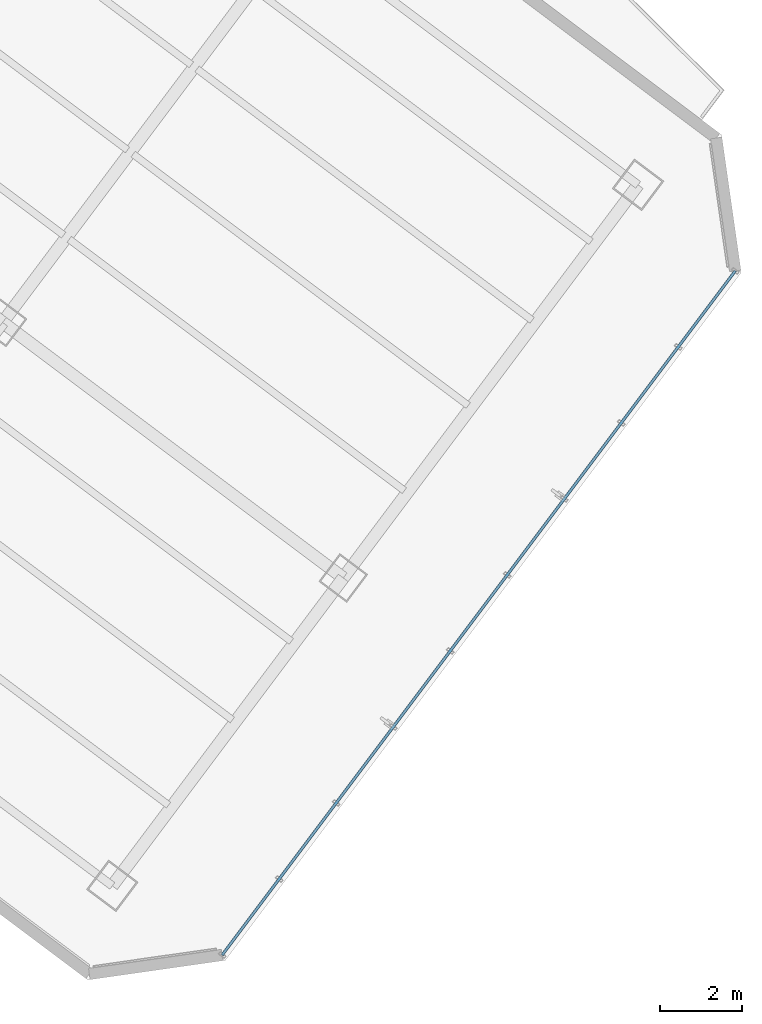
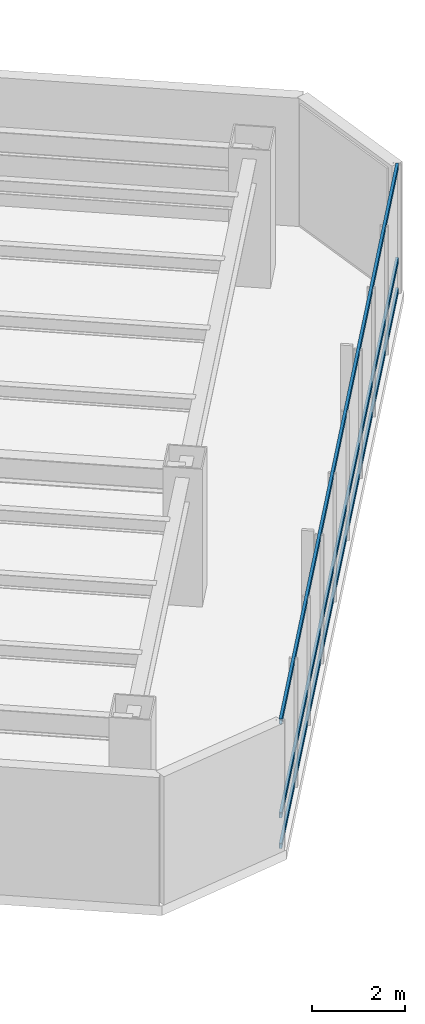
# One storey, part 9 of 29: 3 members, 1 element without a shape of its own.
"""IFC4 building model written with IfcOpenShell, lengths in metres."""

from ifc_helpers import new_model, si_unit, direction, frame, origin, origin_2d, place, context, subcontext, project, spatial, hollow_rectangle, extrude, material, layer, layer_set, material_profile, profile_set, type_object, element, aggregate, save


model = new_model("IFC4")

# Units and contexts
model_context = context("Model", 3, precision=1e-05, world=origin(), true_north=direction((0.0, 1.0)))
body_context = subcontext(model_context, "Body", "Model", "MODEL_VIEW")
ifc_project = project(units=[si_unit("LENGTHUNIT", "METRE"), si_unit("AREAUNIT", "SQUARE_METRE"), si_unit("VOLUMEUNIT", "CUBIC_METRE"), si_unit("PLANEANGLEUNIT", "RADIAN"), si_unit("MASSUNIT", "GRAM", prefix="KILO")], contexts=[model_context])

# Site, building, storey
site_placement = place(None, origin())
site = spatial("IfcSite", under=ifc_project, at=site_placement, CompositionType="ELEMENT")
building_placement = place(site_placement, origin())
building = spatial("IfcBuilding", under=site, at=building_placement, Name="Hatsunagi Terrace Concourse", CompositionType="ELEMENT")
storey_placement = place(building_placement, frame((0.0, 0.0, 115.64990234375)))
storey = spatial("IfcBuildingStorey", under=building, at=storey_placement, Name="L30", CompositionType="ELEMENT", Elevation=115.64990234375)

# Curtain wall, members
ifc_material_1 = material(Name="Anodised Aluminium Alloy 6063-T5", Category="aluminium")
ifc_layer = layer(ifc_material_1, 0.199951171875)
ifc_layer_set = layer_set([ifc_layer], Name="OfficeZone1_CW03")
curtain_wall_type = type_object("IfcCurtainWallType", Name="OfficeZone1_CW03", PredefinedType="NOTDEFINED", material=ifc_layer_set)
curtain_wall_placement = place(storey_placement, origin())
curtain_wall = element("IfcCurtainWall", 1, at=curtain_wall_placement, inside=storey, type_object=curtain_wall_type, Name="Unitised Curtain Wall CW-03 CW-L30-03", PredefinedType="NOTDEFINED")
ifc_material_2 = material(Name="Anodised Aluminium Alloy 6063-T5", Category="aluminium")
ifc_material_profile = material_profile(ifc_material_2, hollow_rectangle(XDim=0.06494140625, YDim=0.139892578125, WallThickness=0.00390625, at=origin_2d()), Name="ALU-TRN-140x65x4")
ifc_profile_set = profile_set([ifc_material_profile], Name="Anodised Aluminium Alloy 6063-T5")
member_type = type_object("IfcMemberType", Name="CurtainWallTransom_140x65", PredefinedType="USERDEFINED", material=ifc_profile_set)
member_1_placement = place(storey_placement, frame((69.093017578125, 19.657958984375, 0.050048828125), z_axis=(-0.599970072971, -0.800022444397, 0.0), x_axis=(0.800022444397, -0.599970072971, 0.0)))
member_1 = element("IfcMember", 2, at=member_1_placement, type_object=member_type, Name="Curtain Wall Transom TRN-02", ObjectType="TRANSOM", PredefinedType="USERDEFINED", context=body_context, shape_type="SweptSolid", body=[
    extrude(hollow_rectangle(XDim=0.06494140625, YDim=0.139892578125, WallThickness=0.00390625, at=origin_2d()), origin(), (0.0, 0.0, 1.0), 20.884521484375),
])
member_2_placement = place(storey_placement, frame((69.093017578125, 19.657958984375, 0.85009765625), z_axis=(-0.599970072971, -0.800022444397, 0.0), x_axis=(0.800022444397, -0.599970072971, 0.0)))
member_2 = element("IfcMember", 3, at=member_2_placement, type_object=member_type, Name="Curtain Wall Transom TRN-02", ObjectType="TRANSOM", PredefinedType="USERDEFINED", context=body_context, shape_type="SweptSolid", body=[
    extrude(hollow_rectangle(XDim=0.06494140625, YDim=0.139892578125, WallThickness=0.00390625, at=origin_2d()), origin(), (0.0, 0.0, 1.0), 20.884521484375),
])
member_3_placement = place(storey_placement, frame((69.093017578125, 19.657958984375, 3.300048828125), z_axis=(-0.599970072971, -0.800022444397, 0.0), x_axis=(0.800022444397, -0.599970072971, 0.0)))
member_3 = element("IfcMember", 4, at=member_3_placement, type_object=member_type, Name="Curtain Wall Transom TRN-02", ObjectType="TRANSOM", PredefinedType="USERDEFINED", context=body_context, shape_type="SweptSolid", body=[
    extrude(hollow_rectangle(XDim=0.06494140625, YDim=0.139892578125, WallThickness=0.00390625, at=origin_2d()), origin(), (0.0, 0.0, 1.0), 20.884521484375),
])
aggregate(curtain_wall, [member_1, member_2, member_3])

save(model, "model.ifc")
